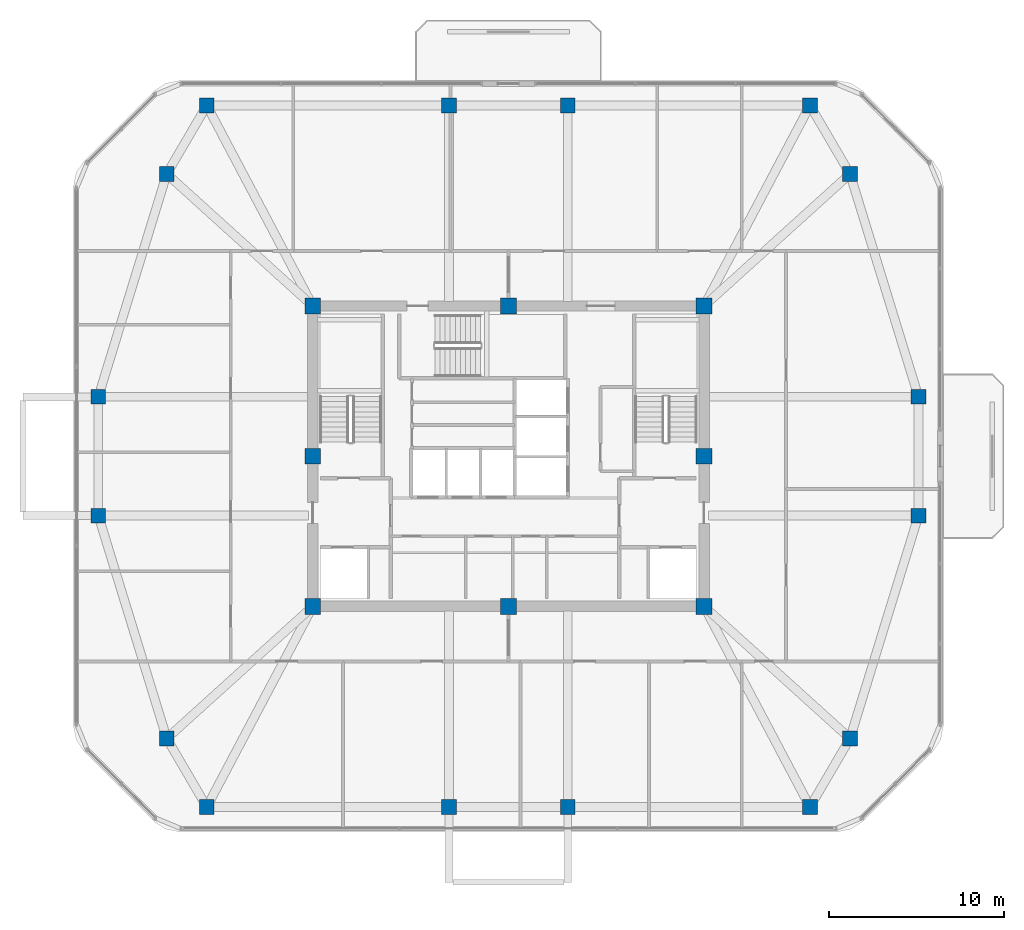
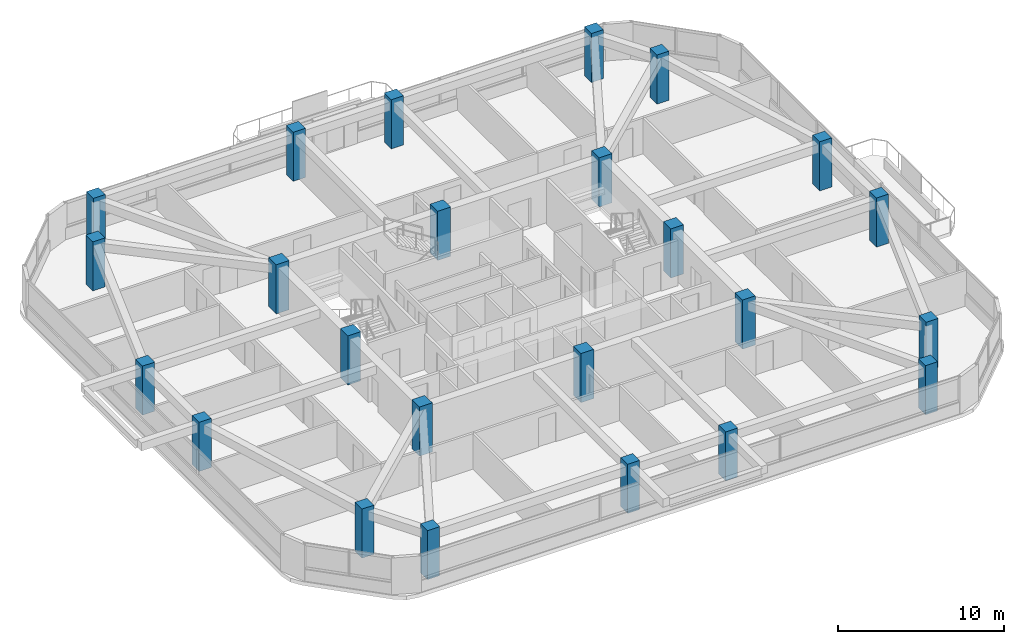
# One storey, part 1 of 14: 24 columns.
"""IFC4 building model written with IfcOpenShell, lengths in metres."""

from ifc_helpers import new_model, si_unit, derived_unit, direction, frame, origin, origin_2d, place, context, subcontext, project, spatial, rectangle, extrude, material, material_profile, profile_set, type_object, element, save


model = new_model("IFC4")

# Units and contexts
model_context = context("Model", 3, precision=1e-05, world=origin(), true_north=direction((0.0, 1.0)))
body_context = subcontext(model_context, "Body", "Model", "MODEL_VIEW")
ifc_project = project(units=[si_unit("LENGTHUNIT", "METRE"), si_unit("AREAUNIT", "SQUARE_METRE"), si_unit("VOLUMEUNIT", "CUBIC_METRE"), si_unit("PLANEANGLEUNIT", "RADIAN"), si_unit("MASSUNIT", "GRAM", prefix="KILO"), derived_unit("THERMALTRANSMITTANCEUNIT", [(si_unit("POWERUNIT", "WATT"), 1), (si_unit("LENGTHUNIT", "METRE"), -2), (si_unit("THERMODYNAMICTEMPERATUREUNIT", "KELVIN"), -1)])], contexts=[model_context])

# Site, building, storey
site_placement = place(None, origin())
site = spatial("IfcSite", under=ifc_project, at=site_placement, CompositionType="ELEMENT")
building_placement = place(site_placement, origin())
building = spatial("IfcBuilding", under=site, at=building_placement, Name="Koralith Skygarden Medical Center", CompositionType="ELEMENT")
storey_placement = place(building_placement, frame((0.0, 0.0, 246.419921875)))
storey = spatial("IfcBuildingStorey", under=building, at=storey_placement, Name="L63", CompositionType="ELEMENT", Elevation=246.419921875)

# Columns
ifc_material = material(Name="Concrete C55/67", Category="concrete")
ifc_material_profile_1 = material_profile(ifc_material, rectangle(XDim=0.89990234375, YDim=0.89990234375, at=origin_2d()), Name="RC900X900")
ifc_profile_set_1 = profile_set([ifc_material_profile_1], Name="Concrete C55/67")
column_type_1 = type_object("IfcColumnType", Name="Core Column C55 RC900", PredefinedType="COLUMN", material=ifc_profile_set_1)
for number, where, z_axis, x_axis, name in (
    (1, (25.800048828125, 17.300048828125, 0.0), (0.0, 0.0, 1.0), (1.0, 0.0, 0.0), "L63 Core Column CC-01"),
    (2, (37.0, 17.300048828125, 0.0), (0.0, 0.0, 1.0), (1.0, 0.0, 0.0), "L63 Core Column CC-02"),
    (3, (48.199951171875, 17.300048828125, 0.0), (0.0, 0.0, 1.0), (1.0, 0.0, 0.0), "L63 Core Column CC-03"),
    (4, (48.199951171875, 25.89990234375, 0.0), (0.0, 0.0, 1.0), (1.0, 0.0, 0.0), "L63 Core Column CC-04"),
    (5, (48.199951171875, 34.5, 0.0), (0.0, 0.0, 1.0), (1.0, 0.0, 0.0), "L63 Core Column CC-05"),
    (6, (37.0, 34.5, 0.0), (0.0, 0.0, 1.0), (1.0, 0.0, 0.0), "L63 Core Column CC-06"),
    (7, (25.800048828125, 34.5, 0.0), (0.0, 0.0, 1.0), (1.0, 0.0, 0.0), "L63 Core Column CC-07"),
    (8, (25.800048828125, 25.89990234375, 0.0), (0.0, 0.0, 1.0), (1.0, 0.0, 0.0), "L63 Core Column CC-08"),
):
    element("IfcColumn", number, at=place(storey_placement, frame(where, z_axis=z_axis, x_axis=x_axis)), inside=storey, type_object=column_type_1, Name=name, PredefinedType="COLUMN", context=body_context, shape_type="SweptSolid", body=[
        extrude(rectangle(XDim=0.89990234375, YDim=0.89990234375, at=origin_2d()), origin(), (0.0, 0.0, 1.0), 3.60009765625),
    ])
ifc_material_profile_2 = material_profile(ifc_material, rectangle(XDim=0.840087890625, YDim=0.840087890625, at=origin_2d()), Name="RC840X840")
ifc_profile_set_2 = profile_set([ifc_material_profile_2], Name="Concrete C55/67")
column_type_2 = type_object("IfcColumnType", Name="Zone 5 Upper Mega-Column C55 RC840", PredefinedType="COLUMN", material=ifc_profile_set_2)
for number, where, z_axis, x_axis, name in (
    (9, (13.52001953125, 22.5, 0.0), (0.0, 0.0, 1.0), (1.0, 0.0, 0.0), "L63 Perimeter Mega-Column MC-01"),
    (10, (17.43994140625, 9.739990234375, 0.0), (0.0, 0.0, 1.0), (1.0, 0.0, 0.0), "L63 Perimeter Mega-Column MC-02"),
    (11, (19.73193359375, 5.820068359375, 0.0), (0.0, 0.0, 1.0), (1.0, 0.0, 0.0), "L63 Perimeter Mega-Column MC-03"),
    (12, (33.60009765625, 5.820068359375, 0.0), (0.0, 0.0, 1.0), (1.0, 0.0, 0.0), "L63 Perimeter Mega-Column MC-04"),
    (13, (40.39990234375, 5.820068359375, 0.0), (0.0, 0.0, 1.0), (1.0, 0.0, 0.0), "L63 Perimeter Mega-Column MC-05"),
    (14, (54.26806640625, 5.820068359375, 0.0), (0.0, 0.0, 1.0), (1.0, 0.0, 0.0), "L63 Perimeter Mega-Column MC-06"),
    (15, (56.56005859375, 9.739990234375, 0.0), (0.0, 0.0, 1.0), (1.0, 0.0, 0.0), "L63 Perimeter Mega-Column MC-07"),
    (16, (60.47998046875, 22.5, 0.0), (0.0, 0.0, 1.0), (1.0, 0.0, 0.0), "L63 Perimeter Mega-Column MC-08"),
    (17, (60.47998046875, 29.300048828125, 0.0), (0.0, 0.0, 1.0), (1.0, 0.0, 0.0), "L63 Perimeter Mega-Column MC-09"),
    (18, (56.56005859375, 42.06005859375, 0.0), (0.0, 0.0, 1.0), (1.0, 0.0, 0.0), "L63 Perimeter Mega-Column MC-10"),
    (19, (54.26806640625, 45.97998046875, 0.0), (0.0, 0.0, 1.0), (1.0, 0.0, 0.0), "L63 Perimeter Mega-Column MC-11"),
    (20, (40.39990234375, 45.97998046875, 0.0), (0.0, 0.0, 1.0), (1.0, 0.0, 0.0), "L63 Perimeter Mega-Column MC-12"),
    (21, (33.60009765625, 45.97998046875, 0.0), (0.0, 0.0, 1.0), (1.0, 0.0, 0.0), "L63 Perimeter Mega-Column MC-13"),
    (22, (19.73193359375, 45.97998046875, 0.0), (0.0, 0.0, 1.0), (1.0, 0.0, 0.0), "L63 Perimeter Mega-Column MC-14"),
    (23, (17.43994140625, 42.06005859375, 0.0), (0.0, 0.0, 1.0), (1.0, 0.0, 0.0), "L63 Perimeter Mega-Column MC-15"),
    (24, (13.52001953125, 29.300048828125, 0.0), (0.0, 0.0, 1.0), (1.0, 0.0, 0.0), "L63 Perimeter Mega-Column MC-16"),
):
    element("IfcColumn", number, at=place(storey_placement, frame(where, z_axis=z_axis, x_axis=x_axis)), inside=storey, type_object=column_type_2, Name=name, PredefinedType="COLUMN", context=body_context, shape_type="SweptSolid", body=[
        extrude(rectangle(XDim=0.840087890625, YDim=0.840087890625, at=origin_2d()), origin(), (0.0, 0.0, 1.0), 3.60009765625),
    ])

save(model, "model.ifc")
